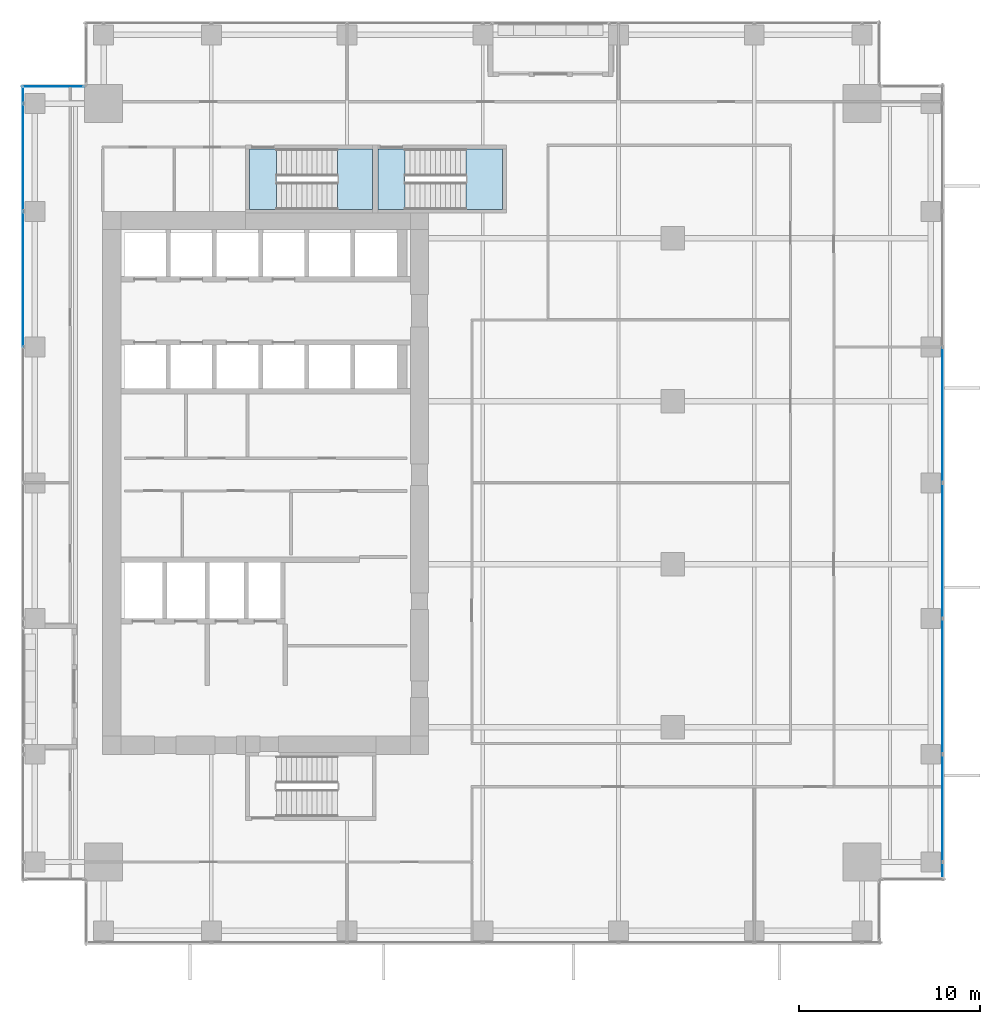
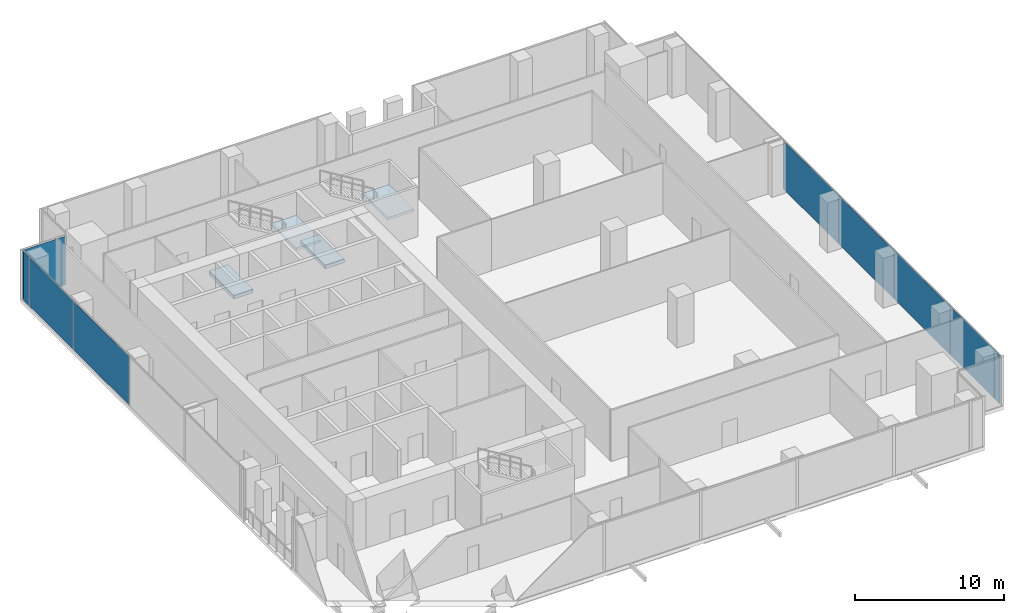
# One storey, part 25 of 34: 9 plates, 4 slabs, 5 elements without a shape of their own.
"""IFC4 building model written with IfcOpenShell, lengths in metres."""

import ifcopenshell
import ifcopenshell.guid

model = None  # the IFC model being written
_history = None  # IfcOwnerHistory: only IFC2X3 demands one
_inside = {}  # id of a spatial element -> (the spatial element, [elements in it])
_under = {}  # id of a project, library or spatial element -> (it, [spatial elements below it])
_declared = {}  # id of a project -> (the project, [libraries it declares])
_typed = {}  # id of a type object -> (the type object, [elements of that type])
_made_of = {}  # id of a material, layer set ... -> (it, [elements and type objects made of it])


def new_model(schema):
    """Start an empty IFC model of exactly this schema.

    Asked for "IFC4X3", IfcOpenShell would pick the latest addendum, in which some entities
    have other attributes; the version numbers below select the first issue.
    IFC2X3 requires an IfcOwnerHistory on every rooted entity: one is made here for all.
    """
    global model, _history
    if schema == "IFC4X3":
        model = ifcopenshell.file(schema_version=(4, 3, 0, 0))
    else:
        model = ifcopenshell.file(schema=schema)
    _inside.clear()
    _under.clear()
    _declared.clear()
    _typed.clear()
    _made_of.clear()
    _history = None
    if model.schema == "IFC2X3":
        org = make("IfcOrganization", Name="unknown")
        user = make(
            "IfcPersonAndOrganization",
            ThePerson=make("IfcPerson", FamilyName="unknown"),
            TheOrganization=org,
        )
        app = make(
            "IfcApplication",
            ApplicationDeveloper=org,
            Version="unknown",
            ApplicationFullName="unknown",
            ApplicationIdentifier="unknown",
        )
        _history = make(
            "IfcOwnerHistory",
            OwningUser=user,
            OwningApplication=app,
            ChangeAction="ADDED",
            CreationDate=0,
        )
    return model


def make(cls, **values):
    """One entity of the class cls with the attributes given. An attribute that is None is left unset."""
    return model.create_entity(
        cls, **{name: value for name, value in values.items() if value is not None}
    )


def rooted(cls, **values):
    """An entity with a GlobalId (a new one), such as an element, a storey or a relation."""
    return make(cls, GlobalId=ifcopenshell.guid.new(), OwnerHistory=_history, **values)


def si_unit(unit_type, name, prefix=None):
    """IfcSIUnit, for example si_unit("LENGTHUNIT", "METRE", prefix="MILLI")."""
    return make("IfcSIUnit", UnitType=unit_type, Prefix=prefix, Name=name)


def assignment(units):
    """IfcUnitAssignment: the units of a project."""
    return None if units is None else make("IfcUnitAssignment", Units=units)


def point(xyz):
    """IfcCartesianPoint."""
    return None if xyz is None else make("IfcCartesianPoint", Coordinates=xyz)


def direction(xyz):
    """IfcDirection."""
    return None if xyz is None else make("IfcDirection", DirectionRatios=xyz)


def frame(location, z_axis=None, x_axis=None):
    """IfcAxis2Placement3D, a coordinate frame: its origin and axes. An axis left out is left unset."""
    return make(
        "IfcAxis2Placement3D",
        Location=point(location),
        Axis=direction(z_axis),
        RefDirection=direction(x_axis),
    )


def frame_2d(location, x_axis=None):
    """IfcAxis2Placement2D, a coordinate frame in the plane: its origin and x axis."""
    return make(
        "IfcAxis2Placement2D", Location=point(location), RefDirection=direction(x_axis)
    )


def origin():
    """The frame at (0, 0, 0) with its axes left unset."""
    return frame((0.0, 0.0, 0.0))


def origin_2d():
    """The frame at (0, 0) in the plane with its x axis left unset."""
    return frame_2d((0.0, 0.0))


def place(relative_to, where):
    """IfcLocalPlacement: puts the frame where relative to a parent placement (None: the world)."""
    return make(
        "IfcLocalPlacement", PlacementRelTo=relative_to, RelativePlacement=where
    )


def context(
    kind, dimensions, precision=None, world=None, true_north=None, identifier=None
):
    """IfcGeometricRepresentationContext, for example the 3D "Model" context."""
    return make(
        "IfcGeometricRepresentationContext",
        ContextIdentifier=identifier,
        ContextType=kind,
        CoordinateSpaceDimension=dimensions,
        Precision=precision,
        WorldCoordinateSystem=world,
        TrueNorth=true_north,
    )


def subcontext(parent, identifier, kind, view, scale=None):
    """IfcGeometricRepresentationSubContext, for example "Body" below "Model"."""
    return make(
        "IfcGeometricRepresentationSubContext",
        ContextIdentifier=identifier,
        ContextType=kind,
        ParentContext=parent,
        TargetScale=scale,
        TargetView=view,
    )


def project(units=None, contexts=None):
    """IfcProject with its units and contexts."""
    return rooted(
        "IfcProject",
        Name="project",
        RepresentationContexts=contexts,
        UnitsInContext=assignment(units),
    )


def spatial(cls, under=None, at=None, **own):
    """A site, building, storey or space (cls), placed at a placement, below another one or the project."""
    s = rooted(cls, ObjectPlacement=at, **own)
    if under is not None:
        _under.setdefault(under.id(), (under, []))[1].append(s)
    return s


def polyline(points):
    """IfcPolyline through the points."""
    return make("IfcPolyline", Points=[point(p) for p in points])


def profile(cls, at=None, kind="AREA", **sizes):
    """A parametric profile (cls). Its sizes go by their IFC names, for example OverallWidth=200.0."""
    return make(cls, ProfileType=kind, Position=at, **sizes)


def rectangle(**sizes):
    """IfcRectangleProfileDef."""
    return profile("IfcRectangleProfileDef", **sizes)


def outline(outer, holes=None, kind="AREA"):
    """IfcArbitraryClosedProfileDef: a profile drawn as a closed curve; with holes, ...WithVoids."""
    if holes is None:
        return make("IfcArbitraryClosedProfileDef", ProfileType=kind, OuterCurve=outer)
    return make(
        "IfcArbitraryProfileDefWithVoids",
        ProfileType=kind,
        OuterCurve=outer,
        InnerCurves=holes,
    )


def extrude(swept, where, along, depth):
    """IfcExtrudedAreaSolid: the profile swept, set in the frame where, extruded along a direction by depth."""
    return make(
        "IfcExtrudedAreaSolid",
        SweptArea=swept,
        Position=where,
        ExtrudedDirection=direction(along),
        Depth=depth,
    )


def shape(context_of_items, identifier, shape_type, items):
    """IfcShapeRepresentation: the items that make up one representation, for example the "Body"."""
    return make(
        "IfcShapeRepresentation",
        ContextOfItems=context_of_items,
        RepresentationIdentifier=identifier,
        RepresentationType=shape_type,
        Items=items,
    )


def source(mapping_origin, context_of_items, identifier, shape_type, items):
    """IfcRepresentationMap: a shape defined once, which mapped items show again and again."""
    return make(
        "IfcRepresentationMap",
        MappingOrigin=mapping_origin,
        MappedRepresentation=shape(context_of_items, identifier, shape_type, items),
    )


def transform(
    local_origin,
    x_axis=None,
    y_axis=None,
    z_axis=None,
    scale=None,
    scale2=None,
    scale3=None,
    uniform=True,
):
    """IfcCartesianTransformationOperator3D, or its non-uniform kind. x_axis, y_axis, z_axis: its Axis1, 2, 3."""
    if uniform:
        return make(
            "IfcCartesianTransformationOperator3D",
            Axis1=direction(x_axis),
            Axis2=direction(y_axis),
            LocalOrigin=point(local_origin),
            Scale=scale,
            Axis3=direction(z_axis),
        )
    return make(
        "IfcCartesianTransformationOperator3DnonUniform",
        Axis1=direction(x_axis),
        Axis2=direction(y_axis),
        LocalOrigin=point(local_origin),
        Scale=scale,
        Axis3=direction(z_axis),
        Scale2=scale2,
        Scale3=scale3,
    )


def mapped(mapping_source, mapping_target):
    """IfcMappedItem: shows the shape of a source again, moved by a transform."""
    return make(
        "IfcMappedItem", MappingSource=mapping_source, MappingTarget=mapping_target
    )


def material(Name=None, Category=None):
    """IfcMaterial."""
    return make("IfcMaterial", Name=Name, Category=Category)


def layer(
    of_material, thickness, ventilated=None, Name=None, Category=None, Priority=None
):
    """IfcMaterialLayer: one layer of a wall or slab, of a material (None: an air gap)."""
    return make(
        "IfcMaterialLayer",
        Material=of_material,
        LayerThickness=thickness,
        IsVentilated=ventilated,
        Name=Name,
        Category=Category,
        Priority=Priority,
    )


def layer_set(layers, Name=None):
    """IfcMaterialLayerSet."""
    return make("IfcMaterialLayerSet", MaterialLayers=layers, LayerSetName=Name)


def made_of(thing, what):
    """Note that an element or type object is made of a material, layer set ...; save() writes the relation."""
    if what is not None:
        _made_of.setdefault(what.id(), (what, []))[1].append(thing)
    return thing


def type_object(cls, material=None, **own):
    """A type object (cls), such as IfcWallType, which elements share."""
    return made_of(rooted(cls, **own), material)


def element(
    cls,
    number,
    at=None,
    inside=None,
    cuts=None,
    type_object=None,
    material=None,
    context=None,
    identifier="Body",
    shape_type=None,
    held_by="IfcProductDefinitionShape",
    body=None,
    shapes=None,
    **own,
):
    """One element of the class cls, such as IfcWall. Its Tag is "e" and its number.

    at: its placement. inside: the storey or other place that contains it. cuts: it is an
    opening in that element (IfcRelVoidsElement). A single representation is given by context,
    identifier, shape_type and body (its items); several are given by shapes. held_by: the class
    of the entity that holds the representations. save() writes the other relations.
    """
    e = rooted(cls, Tag="e%d" % number, ObjectPlacement=at, **own)
    if body is not None:
        shapes = [shape(context, identifier, shape_type, body)]
    if shapes is not None:
        e.Representation = make(held_by, Representations=shapes)
    if inside is not None:
        _inside.setdefault(inside.id(), (inside, []))[1].append(e)
    if cuts is not None:
        rooted(
            "IfcRelVoidsElement", RelatingBuildingElement=cuts, RelatedOpeningElement=e
        )
    if type_object is not None:
        _typed.setdefault(type_object.id(), (type_object, []))[1].append(e)
    return made_of(e, material)


def aggregate(whole, parts):
    """IfcRelAggregates: a whole, such as a stair, and the parts it consists of."""
    return rooted("IfcRelAggregates", RelatingObject=whole, RelatedObjects=parts)


def save(model, path):
    """Write the relations noted so far, then the file.

    IfcRelAggregates (storeys below a building ...), IfcRelContainedInSpatialStructure (elements
    in a storey), IfcRelDefinesByType, IfcRelAssociatesMaterial and IfcRelDeclares: one each for
    every whole, place, type object, material and project.
    """
    for whole, parts in _under.values():
        aggregate(whole, parts)
    for where, things in _inside.values():
        rooted(
            "IfcRelContainedInSpatialStructure",
            RelatedElements=things,
            RelatingStructure=where,
        )
    for kind, things in _typed.values():
        rooted("IfcRelDefinesByType", RelatedObjects=things, RelatingType=kind)
    for what, things in _made_of.values():
        rooted("IfcRelAssociatesMaterial", RelatedObjects=things, RelatingMaterial=what)
    for by, libraries in _declared.values():
        rooted("IfcRelDeclares", RelatingContext=by, RelatedDefinitions=libraries)
    model.write(path)


model = new_model("IFC4")

# Units and contexts
model_context = context("Model", 3, precision=1e-05, world=origin(), true_north=direction((0.0, 1.0)))
body_context = subcontext(model_context, "Body", "Model", "MODEL_VIEW")
ifc_project = project(units=[si_unit("LENGTHUNIT", "METRE"), si_unit("AREAUNIT", "SQUARE_METRE"), si_unit("VOLUMEUNIT", "CUBIC_METRE"), si_unit("PLANEANGLEUNIT", "RADIAN"), si_unit("MASSUNIT", "GRAM", prefix="KILO")], contexts=[model_context])

# Site, building, storey
site_placement = place(None, origin())
site = spatial("IfcSite", under=ifc_project, at=site_placement, CompositionType="ELEMENT")
building_placement = place(site_placement, origin())
building = spatial("IfcBuilding", under=site, at=building_placement, Name="Khomas Fold Tower", CompositionType="ELEMENT")
storey_placement = place(building_placement, frame((0.0, 0.0, 123.5)))
storey = spatial("IfcBuildingStorey", under=building, at=storey_placement, Name="L26", CompositionType="ELEMENT", Elevation=123.5)

# Curtain wall, plate
ifc_material_1 = material(Name="Aluminium framed double glazing", Category="aluminium")
curtain_wall_type = type_object("IfcCurtainWallType", Name="SK-Unitised clear-glass wall, growing floors CW1", PredefinedType="NOTDEFINED", material=ifc_material_1)
curtain_wall_1_placement = place(storey_placement, origin())
curtain_wall_1 = element("IfcCurtainWall", 1, at=curtain_wall_1_placement, inside=storey, type_object=curtain_wall_type, Name="CW1 run L26 03-0", PredefinedType="NOTDEFINED")
ifc_material_2 = material(Name="Clear double glazed unit")
ifc_layer_1 = layer(ifc_material_2, 0.031982421875)
ifc_layer_set_1 = layer_set([ifc_layer_1], Name="Clear double glazed unit")
plate_type = type_object("IfcPlateType", Name="SK-Unitised clear-glass wall, growing floors glass panel CW1-P", PredefinedType="CURTAIN_PANEL", material=ifc_layer_set_1)
shared_shape_1 = source(origin(), body_context, "Body", "SweptSolid", [
    extrude(rectangle(XDim=0.760009765625, YDim=0.031982421875, at=origin_2d()), origin(), (0.0, 0.0, 1.0), 3.97998046875),
])
plate_1_placement = place(storey_placement, frame((52.39990234375, 5.639892578125, 0.0), z_axis=(0.0, 0.0, 1.0), x_axis=(0.0, 1.0, 0.0)))
plate_1 = element("IfcPlate", 2, at=plate_1_placement, type_object=plate_type, Name="CW1 glass panel 1", PredefinedType="CURTAIN_PANEL", context=body_context, shape_type="MappedRepresentation", body=[
    mapped(shared_shape_1, transform((0.0, 0.0, 0.0))),
])

curtain_wall_2_placement = place(storey_placement, origin())
curtain_wall_2 = element("IfcCurtainWall", 3, at=curtain_wall_2_placement, inside=storey, type_object=curtain_wall_type, Name="CW1 run L26 09-0", PredefinedType="NOTDEFINED")
plate_2_placement = place(storey_placement, frame((1.60009765625, 48.360107421875, 0.0), z_axis=(0.0, 0.0, 1.0), x_axis=(0.0, -1.0, 0.0)))
plate_2 = element("IfcPlate", 4, at=plate_2_placement, type_object=plate_type, Name="CW1 glass panel 1", PredefinedType="CURTAIN_PANEL", context=body_context, shape_type="MappedRepresentation", body=[
    mapped(shared_shape_1, transform((0.0, 0.0, 0.0))),
])

# Plate
shared_shape_2 = source(origin(), body_context, "Body", "SweptSolid", [
    extrude(rectangle(XDim=5.889892578125, YDim=0.031982421875, at=origin_2d()), origin(), (0.0, 0.0, 1.0), 3.97998046875),
])
plate_3_placement = place(storey_placement, frame((52.39990234375, 9.02490234375, 0.0), z_axis=(0.0, 0.0, 1.0), x_axis=(0.0, 1.0, 0.0)))
plate_3 = element("IfcPlate", 5, at=plate_3_placement, type_object=plate_type, Name="CW1 glass panel 2", PredefinedType="CURTAIN_PANEL", context=body_context, shape_type="MappedRepresentation", body=[
    mapped(shared_shape_2, transform((0.0, 0.0, 0.0))),
])

plate_4_placement = place(storey_placement, frame((1.60009765625, 44.97509765625, 0.0), z_axis=(0.0, 0.0, 1.0), x_axis=(0.0, -1.0, 0.0)))
plate_4 = element("IfcPlate", 6, at=plate_4_placement, type_object=plate_type, Name="CW1 glass panel 2", PredefinedType="CURTAIN_PANEL", context=body_context, shape_type="MappedRepresentation", body=[
    mapped(shared_shape_2, transform((0.0, 0.0, 0.0))),
])

shared_shape_3 = source(origin(), body_context, "Body", "SweptSolid", [
    extrude(rectangle(XDim=7.43994140625, YDim=0.031982421875, at=origin_2d()), origin(), (0.0, 0.0, 1.0), 3.97998046875),
])
plate_5_placement = place(storey_placement, frame((52.39990234375, 15.75, 0.0), z_axis=(0.0, 0.0, 1.0), x_axis=(0.0, 1.0, 0.0)))
plate_5 = element("IfcPlate", 7, at=plate_5_placement, type_object=plate_type, Name="CW1 glass panel 3", PredefinedType="CURTAIN_PANEL", context=body_context, shape_type="MappedRepresentation", body=[
    mapped(shared_shape_3, transform((0.0, 0.0, 0.0))),
])

plate_6_placement = place(storey_placement, frame((52.39990234375, 23.25, 0.0), z_axis=(0.0, 0.0, 1.0), x_axis=(0.0, 1.0, 0.0)))
plate_6 = element("IfcPlate", 8, at=plate_6_placement, type_object=plate_type, Name="CW1 glass panel 4", PredefinedType="CURTAIN_PANEL", context=body_context, shape_type="MappedRepresentation", body=[
    mapped(shared_shape_3, transform((0.0, 0.0, 0.0))),
])

plate_7_placement = place(storey_placement, frame((52.39990234375, 30.75, 0.0), z_axis=(0.0, 0.0, 1.0), x_axis=(0.0, 1.0, 0.0)))
plate_7 = element("IfcPlate", 9, at=plate_7_placement, type_object=plate_type, Name="CW1 glass panel 5", PredefinedType="CURTAIN_PANEL", context=body_context, shape_type="MappedRepresentation", body=[
    mapped(shared_shape_3, transform((0.0, 0.0, 0.0))),
])

aggregate(curtain_wall_1, [plate_1, plate_3, plate_5, plate_6, plate_7])

plate_8_placement = place(storey_placement, frame((1.60009765625, 38.25, 0.0), z_axis=(0.0, 0.0, 1.0), x_axis=(0.0, -1.0, 0.0)))
plate_8 = element("IfcPlate", 10, at=plate_8_placement, type_object=plate_type, Name="CW1 glass panel 3", PredefinedType="CURTAIN_PANEL", context=body_context, shape_type="MappedRepresentation", body=[
    mapped(shared_shape_3, transform((0.0, 0.0, 0.0))),
])

aggregate(curtain_wall_2, [plate_2, plate_4, plate_8])

# Curtain wall, plate
curtain_wall_3_placement = place(storey_placement, origin())
curtain_wall_3 = element("IfcCurtainWall", 11, at=curtain_wall_3_placement, inside=storey, type_object=curtain_wall_type, Name="CW1 corner return L26 08", PredefinedType="NOTDEFINED")
shared_shape_4 = source(origin(), body_context, "Body", "SweptSolid", [
    extrude(rectangle(XDim=3.3798828125, YDim=0.031982421875, at=origin_2d()), origin(), (0.0, 0.0, 1.0), 3.97998046875),
])
plate_9_placement = place(storey_placement, frame((3.25, 48.89990234375, 0.0), z_axis=(0.0, 0.0, 1.0), x_axis=(-1.0, 0.0, 0.0)))
plate_9 = element("IfcPlate", 12, at=plate_9_placement, type_object=plate_type, Name="CW1 glass panel 1", PredefinedType="CURTAIN_PANEL", context=body_context, shape_type="MappedRepresentation", body=[
    mapped(shared_shape_4, transform((0.0, 0.0, 0.0))),
])
aggregate(curtain_wall_3, [plate_9])

# Stair, slab
ifc_material_3 = material(Name="Concrete C40/50", Category="concrete")
stair_type_1 = type_object("IfcStairType", Name="Stair ST1", PredefinedType="HALF_TURN_STAIR", material=ifc_material_3)
stair_1_placement = place(storey_placement, origin())
stair_1 = element("IfcStair", 13, at=stair_1_placement, inside=storey, type_object=stair_type_1, Name="L26 ST1", PredefinedType="HALF_TURN_STAIR")
ifc_material_4 = material(Name="Concrete C40/50", Category="concrete")
ifc_layer_2 = layer(ifc_material_4, 0.199951171875)
ifc_layer_set_2 = layer_set([ifc_layer_2], Name="Concrete C40/50")
slab_type_1 = type_object("IfcSlabType", Name="Stair landing 200", PredefinedType="LANDING", material=ifc_layer_set_2)
shared_shape_5 = source(origin(), body_context, "Body", "SweptSolid", [
    extrude(outline(polyline([(18.9599609375, 42.10009765625), (20.89990234375, 42.10009765625), (20.89990234375, 45.449951171875), (18.9599609375, 45.449951171875), (18.9599609375, 42.10009765625)])), origin(), (0.0, 0.0, 1.0), 0.199951171875),
])
slab_1_placement = place(storey_placement, frame((0.0, 0.0, 2.0)))
slab_1 = element("IfcSlab", 14, at=slab_1_placement, type_object=slab_type_1, Name="ST1 landing 1", PredefinedType="LANDING", context=body_context, shape_type="MappedRepresentation", body=[
    mapped(shared_shape_5, transform((0.0, 0.0, 0.0))),
])
aggregate(stair_1, [slab_1])

# Slab
ifc_material_5 = material(Name="Concrete C40/50", Category="concrete")
ifc_layer_3 = layer(ifc_material_5, 0.300048828125)
ifc_layer_set_3 = layer_set([ifc_layer_3], Name="Concrete C40/50")
slab_type_2 = type_object("IfcSlabType", Name="Stair floor landing 300", PredefinedType="LANDING", material=ifc_layer_set_3)
shared_shape_6 = source(origin(), body_context, "Body", "SweptSolid", [
    extrude(outline(polyline([(15.60009765625, 42.10009765625), (14.10009765625, 42.10009765625), (14.10009765625, 45.449951171875), (15.60009765625, 45.449951171875), (15.60009765625, 42.10009765625)])), origin(), (0.0, 0.0, 1.0), 0.300048828125),
])
slab_2_placement = place(storey_placement, frame((0.0, 0.0, -0.300048828125)))
element("IfcSlab", 15, at=slab_2_placement, inside=storey, type_object=slab_type_2, Name="ST1 floor landing", PredefinedType="LANDING", context=body_context, shape_type="MappedRepresentation", body=[
    mapped(shared_shape_6, transform((0.0, 0.0, 0.0))),
])

# Stair, slab
ifc_material_6 = material(Name="Concrete C40/50", Category="concrete")
stair_type_2 = type_object("IfcStairType", Name="Stair ST3", PredefinedType="HALF_TURN_STAIR", material=ifc_material_6)
stair_2_placement = place(storey_placement, origin())
stair_2 = element("IfcStair", 16, at=stair_2_placement, inside=storey, type_object=stair_type_2, Name="L26 ST3", PredefinedType="HALF_TURN_STAIR")
shared_shape_7 = source(origin(), body_context, "Body", "SweptSolid", [
    extrude(outline(polyline([(26.06005859375, 42.10009765625), (28.10009765625, 42.10009765625), (28.10009765625, 45.449951171875), (26.06005859375, 45.449951171875), (26.06005859375, 42.10009765625)])), origin(), (0.0, 0.0, 1.0), 0.199951171875),
])
slab_3_placement = place(storey_placement, frame((0.0, 0.0, 2.0)))
slab_3 = element("IfcSlab", 17, at=slab_3_placement, type_object=slab_type_1, Name="ST3 landing 1", PredefinedType="LANDING", context=body_context, shape_type="MappedRepresentation", body=[
    mapped(shared_shape_7, transform((0.0, 0.0, 0.0))),
])
aggregate(stair_2, [slab_3])

# Slab
shared_shape_8 = source(origin(), body_context, "Body", "SweptSolid", [
    extrude(outline(polyline([(22.699951171875, 42.10009765625), (21.199951171875, 42.10009765625), (21.199951171875, 45.449951171875), (22.699951171875, 45.449951171875), (22.699951171875, 42.10009765625)])), origin(), (0.0, 0.0, 1.0), 0.300048828125),
])
slab_4_placement = place(storey_placement, frame((0.0, 0.0, -0.300048828125)))
element("IfcSlab", 18, at=slab_4_placement, inside=storey, type_object=slab_type_2, Name="ST3 floor landing", PredefinedType="LANDING", context=body_context, shape_type="MappedRepresentation", body=[
    mapped(shared_shape_8, transform((0.0, 0.0, 0.0))),
])

save(model, "model.ifc")
